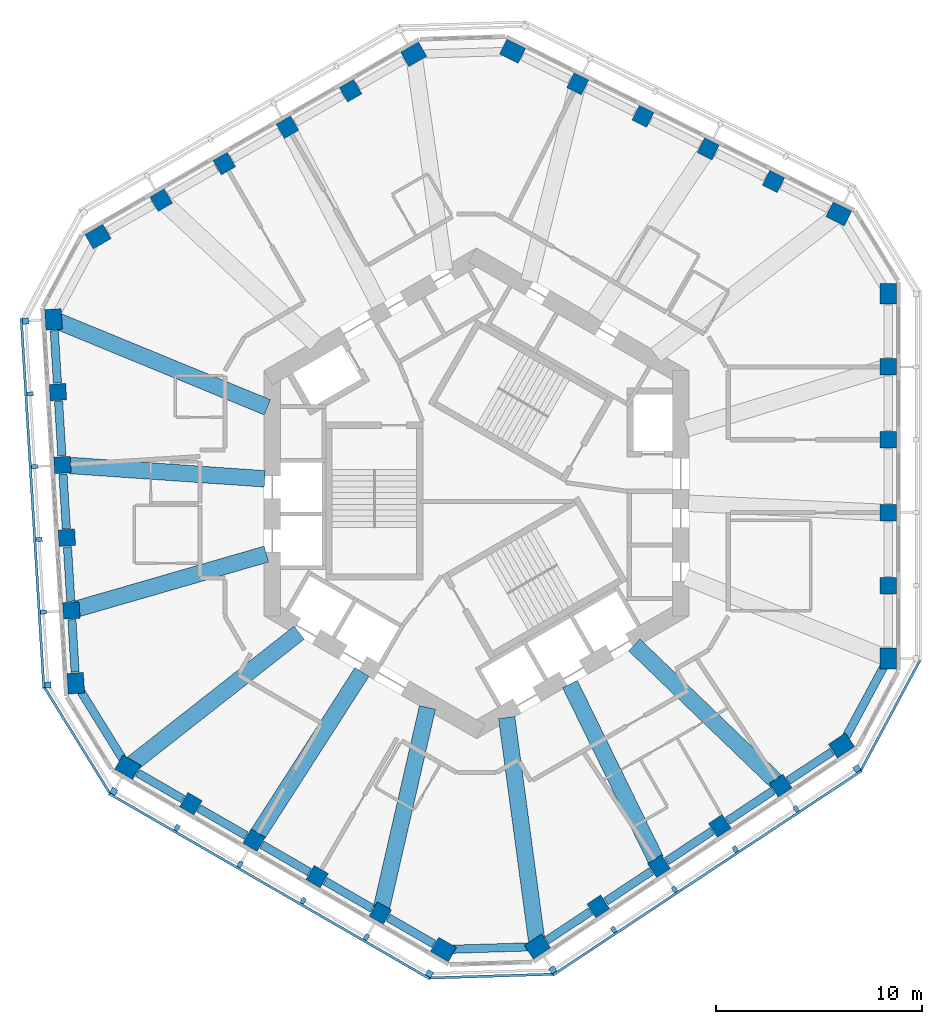
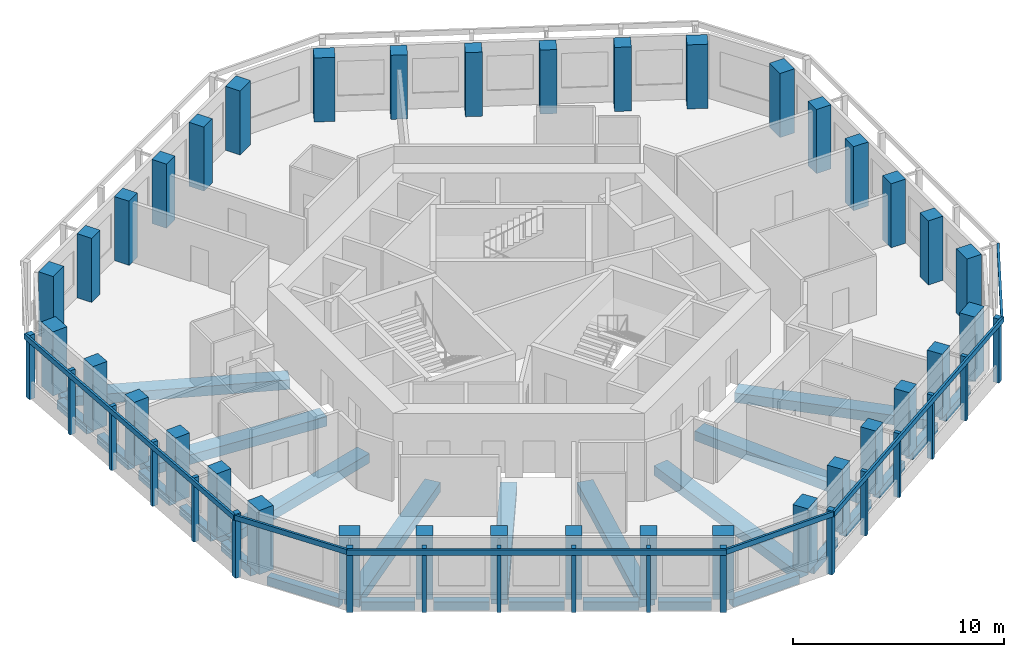
# One storey, part 1 of 11: 36 columns, 27 beams, 24 members, 6 elements without a shape of their own.
"""IFC4 building model written with IfcOpenShell, lengths in metres."""

from ifc_helpers import new_model, si_unit, direction, frame, origin, origin_2d, place, context, subcontext, project, spatial, rectangle, extrude, material, material_profile, profile_set, type_object, element, aggregate, save


model = new_model("IFC4")

# Units and contexts
model_context = context("Model", 3, precision=1e-05, world=origin(), true_north=direction((0.0, 1.0)))
body_context = subcontext(model_context, "Body", "Model", "MODEL_VIEW")
ifc_project = project(units=[si_unit("LENGTHUNIT", "METRE"), si_unit("AREAUNIT", "SQUARE_METRE"), si_unit("VOLUMEUNIT", "CUBIC_METRE"), si_unit("PLANEANGLEUNIT", "RADIAN"), si_unit("MASSUNIT", "GRAM", prefix="KILO")], contexts=[model_context])

# Site, building, storey
site_placement = place(None, origin())
site = spatial("IfcSite", under=ifc_project, at=site_placement, CompositionType="ELEMENT")
building_placement = place(site_placement, origin())
building = spatial("IfcBuilding", under=site, at=building_placement, Name="Vanh Sen Convention Tower", CompositionType="ELEMENT")
storey_placement = place(building_placement, frame((0.0, 0.0, 243.89990234375)))
storey = spatial("IfcBuildingStorey", under=building, at=storey_placement, Name="L60", CompositionType="ELEMENT", Elevation=243.89990234375)

# Columns
ifc_material_1 = material(Name="Concrete C60/75", Category="concrete")
ifc_material_profile_1 = material_profile(ifc_material_1, rectangle(XDim=0.800048828125, YDim=0.800048828125, at=origin_2d()), Name="RC 800X800")
ifc_profile_set_1 = profile_set([ifc_material_profile_1], Name="Concrete C60/75")
column_type_1 = type_object("IfcColumnType", Name="Facade column 800 x 800 C60/75", PredefinedType="COLUMN", material=ifc_profile_set_1)
for number, where, z_axis, x_axis, name in (
    (1, (19.949951171875, -4.46923828125, 0.0), (0.0, 0.0, 1.0), (0.0, 1.0, 0.0), "Facade column 02 L60"),
    (2, (19.949951171875, -0.935546875, 0.0), (0.0, 0.0, 1.0), (0.0, 1.0, 0.0), "Facade column 03 L60"),
    (3, (19.949951171875, 2.59814453125, 0.0), (0.0, 0.0, 1.0), (0.0, 1.0, 0.0), "Facade column 04 L60"),
    (4, (19.949951171875, 6.131591796875, 0.0), (0.0, 0.0, 1.0), (0.0, 1.0, 0.0), "Facade column 05 L60"),
    (5, (14.38916015625, 15.117919921875, 0.0), (0.0, 0.0, 1.0), (-0.894934361602, 0.44619781311, 0.0), "Facade column 08 L60"),
    (6, (11.226806640625, 16.694580078125, 0.0), (0.0, 0.0, 1.0), (-0.894934361602, 0.44619781311, 0.0), "Facade column 09 L60"),
    (7, (8.064453125, 18.271484375, 0.0), (0.0, 0.0, 1.0), (-0.894934361602, 0.44619781311, 0.0), "Facade column 10 L60"),
    (8, (4.902099609375, 19.84814453125, 0.0), (0.0, 0.0, 1.0), (-0.894934361602, 0.44619781311, 0.0), "Facade column 11 L60"),
    (9, (-6.1044921875, 19.51171875, 0.0), (0.0, 0.0, 1.0), (-0.866025403784, -0.5, 0.0), "Facade column 14 L60"),
    (10, (-9.164794921875, 17.7451171875, 0.0), (0.0, 0.0, 1.0), (-0.866025403784, -0.5, 0.0), "Facade column 15 L60"),
    (11, (-12.22509765625, 15.978271484375, 0.0), (0.0, 0.0, 1.0), (-0.866025403784, -0.5, 0.0), "Facade column 16 L60"),
    (12, (-15.28515625, 14.211181640625, 0.0), (0.0, 0.0, 1.0), (-0.866025403784, -0.5, 0.0), "Facade column 17 L60"),
    (13, (-20.287109375, 4.90234375, 0.0), (0.0, 0.0, 1.0), (0.061048539535, -0.998134798422, 0.0), "Facade column 20 L60"),
    (14, (-20.0712890625, 1.375244140625, 0.0), (0.0, 0.0, 1.0), (0.061048539535, -0.998134798422, 0.0), "Facade column 21 L60"),
    (15, (-19.855712890625, -2.151611328125, 0.0), (0.0, 0.0, 1.0), (0.061048539535, -0.998134798422, 0.0), "Facade column 22 L60"),
    (16, (-19.639892578125, -5.6787109375, 0.0), (0.0, 0.0, 1.0), (0.061048539535, -0.998134798422, 0.0), "Facade column 23 L60"),
    (17, (-13.845458984375, -15.04248046875, 0.0), (0.0, 0.0, 1.0), (0.866025403784, -0.5, 0.0), "Facade column 26 L60"),
    (18, (-10.78515625, -16.809326171875, 0.0), (0.0, 0.0, 1.0), (0.866025403784, -0.5, 0.0), "Facade column 27 L60"),
    (19, (-7.72509765625, -18.576416015625, 0.0), (0.0, 0.0, 1.0), (0.866025403784, -0.5, 0.0), "Facade column 28 L60"),
    (20, (-4.664794921875, -20.343017578125, 0.0), (0.0, 0.0, 1.0), (0.866025403784, -0.5, 0.0), "Facade column 29 L60"),
    (21, (5.89794921875, -20.0205078125, 0.0), (0.0, 0.0, 1.0), (0.833885822067, 0.551936985312, 0.0), "Facade column 32 L60"),
    (22, (8.844482421875, -18.070068359375, 0.0), (0.0, 0.0, 1.0), (0.833885822067, 0.551936985312, 0.0), "Facade column 33 L60"),
    (23, (11.791259765625, -16.11962890625, 0.0), (0.0, 0.0, 1.0), (0.833885822067, 0.551936985312, 0.0), "Facade column 34 L60"),
    (24, (14.73779296875, -14.169189453125, 0.0), (0.0, 0.0, 1.0), (0.833885822067, 0.551936985312, 0.0), "Facade column 35 L60"),
):
    element("IfcColumn", number, at=place(storey_placement, frame(where, z_axis=z_axis, x_axis=x_axis)), inside=storey, type_object=column_type_1, Name=name, PredefinedType="COLUMN", context=body_context, shape_type="SweptSolid", body=[
        extrude(rectangle(XDim=0.800048828125, YDim=0.800048828125, at=origin_2d()), origin(), (0.0, 0.0, 1.0), 3.7001953125),
    ])
ifc_material_profile_2 = material_profile(ifc_material_1, rectangle(XDim=1.0, YDim=0.800048828125, at=origin_2d()), Name="RC 1000X800")
ifc_profile_set_2 = profile_set([ifc_material_profile_2], Name="Concrete C60/75")
column_type_2 = type_object("IfcColumnType", Name="Facade corner column 1000 x 800 C60/75", PredefinedType="COLUMN", material=ifc_profile_set_2)
for number, where, z_axis, x_axis, name in (
    (25, (19.949951171875, -8.002685546875, 0.0), (0.0, 0.0, 1.0), (0.0, 1.0, 0.0), "Facade column 01 L60"),
    (26, (19.949951171875, 9.665283203125, 0.0), (0.0, 0.0, 1.0), (0.0, 1.0, 0.0), "Facade column 06 L60"),
    (27, (17.551513671875, 13.541259765625, 0.0), (0.0, 0.0, 1.0), (-0.894934361602, 0.44619781311, 0.0), "Facade column 07 L60"),
    (28, (1.73974609375, 21.4248046875, 0.0), (0.0, 0.0, 1.0), (-0.894934361602, 0.44619781311, 0.0), "Facade column 12 L60"),
    (29, (-3.04443359375, 21.278564453125, 0.0), (0.0, 0.0, 1.0), (-0.866025403784, -0.5, 0.0), "Facade column 13 L60"),
    (30, (-18.345458984375, 12.444580078125, 0.0), (0.0, 0.0, 1.0), (-0.866025403784, -0.5, 0.0), "Facade column 18 L60"),
    (31, (-20.502685546875, 8.429443359375, 0.0), (0.0, 0.0, 1.0), (0.061048539535, -0.998134798422, 0.0), "Facade column 19 L60"),
    (32, (-19.42431640625, -9.205810546875, 0.0), (0.0, 0.0, 1.0), (0.061048539535, -0.998134798422, 0.0), "Facade column 24 L60"),
    (33, (-16.905517578125, -13.27587890625, 0.0), (0.0, 0.0, 1.0), (0.866025403784, -0.5, 0.0), "Facade column 25 L60"),
    (34, (-1.6044921875, -22.10986328125, 0.0), (0.0, 0.0, 1.0), (0.866025403784, -0.5, 0.0), "Facade column 30 L60"),
    (35, (2.951416015625, -21.970703125, 0.0), (0.0, 0.0, 1.0), (0.833885822067, 0.551936985312, 0.0), "Facade column 31 L60"),
    (36, (17.6845703125, -12.218994140625, 0.0), (0.0, 0.0, 1.0), (0.833885822067, 0.551936985312, 0.0), "Facade column 36 L60"),
):
    element("IfcColumn", number, at=place(storey_placement, frame(where, z_axis=z_axis, x_axis=x_axis)), inside=storey, type_object=column_type_2, Name=name, PredefinedType="COLUMN", context=body_context, shape_type="SweptSolid", body=[
        extrude(rectangle(XDim=1.0, YDim=0.800048828125, at=origin_2d()), origin(), (0.0, 0.0, 1.0), 3.7001953125),
    ])

# Curtain wall, members
ifc_material_2 = material(Name="Concrete C50/60", Category="concrete")
curtain_wall_type = type_object("IfcCurtainWallType", Name="Outer skin office zone", PredefinedType="NOTDEFINED", material=ifc_material_2)
curtain_wall_1_placement = place(storey_placement, origin())
curtain_wall_1 = element("IfcCurtainWall", 37, at=curtain_wall_1_placement, inside=storey, type_object=curtain_wall_type, Name="OUTER SKIN W L60", PredefinedType="NOTDEFINED")
ifc_material_profile_3 = material_profile(ifc_material_2, rectangle(XDim=0.300048828125, YDim=0.300048828125, at=origin_2d()), Name="Outer skin precast corner fin 300 x 300")
ifc_profile_set_3 = profile_set([ifc_material_profile_3], Name="Concrete C50/60")
member_type_1 = type_object("IfcMemberType", Name="Outer skin precast corner fin 300 x 300", PredefinedType="MULLION", material=ifc_profile_set_3)
member_1_placement = place(storey_placement, frame((-21.850341796875, 8.346923828125, 0.0), z_axis=(0.0, 0.0, 1.0), x_axis=(0.061048539535, -0.998134798422, 0.0)))
member_1 = element("IfcMember", 38, at=member_1_placement, type_object=member_type_1, Name="OUTER SKIN CORNER FIN 1 W L60", PredefinedType="MULLION", context=body_context, shape_type="SweptSolid", body=[
    extrude(rectangle(XDim=0.300048828125, YDim=0.300048828125, at=origin_2d()), origin(), (0.0, 0.0, 1.0), 3.7001953125),
])
member_2_placement = place(storey_placement, frame((-20.771728515625, -9.2880859375, 0.0), z_axis=(0.0, 0.0, 1.0), x_axis=(0.061048539535, -0.998134798422, 0.0)))
member_2 = element("IfcMember", 39, at=member_2_placement, type_object=member_type_1, Name="OUTER SKIN CORNER FIN 6 W L60", PredefinedType="MULLION", context=body_context, shape_type="SweptSolid", body=[
    extrude(rectangle(XDim=0.300048828125, YDim=0.300048828125, at=origin_2d()), origin(), (0.0, 0.0, 1.0), 3.7001953125),
])

curtain_wall_2_placement = place(storey_placement, origin())
curtain_wall_2 = element("IfcCurtainWall", 40, at=curtain_wall_2_placement, inside=storey, type_object=curtain_wall_type, Name="OUTER SKIN SW L60", PredefinedType="NOTDEFINED")
member_3_placement = place(storey_placement, frame((-17.58056640625, -14.44482421875, 0.0), z_axis=(0.0, 0.0, 1.0), x_axis=(0.866025403784, -0.5, 0.0)))
member_3 = element("IfcMember", 41, at=member_3_placement, type_object=member_type_1, Name="OUTER SKIN CORNER FIN 1 SW L60", PredefinedType="MULLION", context=body_context, shape_type="SweptSolid", body=[
    extrude(rectangle(XDim=0.300048828125, YDim=0.300048828125, at=origin_2d()), origin(), (0.0, 0.0, 1.0), 3.7001953125),
])
member_4_placement = place(storey_placement, frame((-2.279541015625, -23.279052734375, 0.0), z_axis=(0.0, 0.0, 1.0), x_axis=(0.866025403784, -0.5, 0.0)))
member_4 = element("IfcMember", 42, at=member_4_placement, type_object=member_type_1, Name="OUTER SKIN CORNER FIN 6 SW L60", PredefinedType="MULLION", context=body_context, shape_type="SweptSolid", body=[
    extrude(rectangle(XDim=0.300048828125, YDim=0.300048828125, at=origin_2d()), origin(), (0.0, 0.0, 1.0), 3.7001953125),
])

curtain_wall_3_placement = place(storey_placement, origin())
curtain_wall_3 = element("IfcCurtainWall", 43, at=curtain_wall_3_placement, inside=storey, type_object=curtain_wall_type, Name="OUTER SKIN SE L60", PredefinedType="NOTDEFINED")
member_5_placement = place(storey_placement, frame((3.6962890625, -23.096435546875, 0.0), z_axis=(0.0, 0.0, 1.0), x_axis=(0.833885822067, 0.551936985312, 0.0)))
member_5 = element("IfcMember", 44, at=member_5_placement, type_object=member_type_1, Name="OUTER SKIN CORNER FIN 1 SE L60", PredefinedType="MULLION", context=body_context, shape_type="SweptSolid", body=[
    extrude(rectangle(XDim=0.300048828125, YDim=0.300048828125, at=origin_2d()), origin(), (0.0, 0.0, 1.0), 3.7001953125),
])
member_6_placement = place(storey_placement, frame((18.4296875, -13.3447265625, 0.0), z_axis=(0.0, 0.0, 1.0), x_axis=(0.833885822067, 0.551936985312, 0.0)))
member_6 = element("IfcMember", 45, at=member_6_placement, type_object=member_type_1, Name="OUTER SKIN CORNER FIN 6 SE L60", PredefinedType="MULLION", context=body_context, shape_type="SweptSolid", body=[
    extrude(rectangle(XDim=0.300048828125, YDim=0.300048828125, at=origin_2d()), origin(), (0.0, 0.0, 1.0), 3.7001953125),
])

# Member
ifc_material_profile_4 = material_profile(ifc_material_2, rectangle(XDim=0.199951171875, YDim=0.300048828125, at=origin_2d()), Name="Outer skin precast fin 200 x 300")
ifc_profile_set_4 = profile_set([ifc_material_profile_4], Name="Concrete C50/60")
member_type_2 = type_object("IfcMemberType", Name="Outer skin precast fin 200 x 300", PredefinedType="MULLION", material=ifc_profile_set_4)
member_7_placement = place(storey_placement, frame((-21.634521484375, 4.820068359375, 0.0), z_axis=(0.0, 0.0, 1.0), x_axis=(0.061048539535, -0.998134798422, 0.0)))
member_7 = element("IfcMember", 46, at=member_7_placement, type_object=member_type_2, Name="OUTER SKIN fin 2 W L60", PredefinedType="MULLION", context=body_context, shape_type="SweptSolid", body=[
    extrude(rectangle(XDim=0.199951171875, YDim=0.300048828125, at=origin_2d()), origin(), (0.0, 0.0, 1.0), 3.7001953125),
])

member_8_placement = place(storey_placement, frame((-21.4189453125, 1.29296875, 0.0), z_axis=(0.0, 0.0, 1.0), x_axis=(0.061048539535, -0.998134798422, 0.0)))
member_8 = element("IfcMember", 47, at=member_8_placement, type_object=member_type_2, Name="OUTER SKIN fin 3 W L60", PredefinedType="MULLION", context=body_context, shape_type="SweptSolid", body=[
    extrude(rectangle(XDim=0.199951171875, YDim=0.300048828125, at=origin_2d()), origin(), (0.0, 0.0, 1.0), 3.7001953125),
])

member_9_placement = place(storey_placement, frame((-21.203125, -2.234130859375, 0.0), z_axis=(0.0, 0.0, 1.0), x_axis=(0.061048539535, -0.998134798422, 0.0)))
member_9 = element("IfcMember", 48, at=member_9_placement, type_object=member_type_2, Name="OUTER SKIN fin 4 W L60", PredefinedType="MULLION", context=body_context, shape_type="SweptSolid", body=[
    extrude(rectangle(XDim=0.199951171875, YDim=0.300048828125, at=origin_2d()), origin(), (0.0, 0.0, 1.0), 3.7001953125),
])

member_10_placement = place(storey_placement, frame((-20.987548828125, -5.760986328125, 0.0), z_axis=(0.0, 0.0, 1.0), x_axis=(0.061048539535, -0.998134798422, 0.0)))
member_10 = element("IfcMember", 49, at=member_10_placement, type_object=member_type_2, Name="OUTER SKIN fin 5 W L60", PredefinedType="MULLION", context=body_context, shape_type="SweptSolid", body=[
    extrude(rectangle(XDim=0.199951171875, YDim=0.300048828125, at=origin_2d()), origin(), (0.0, 0.0, 1.0), 3.7001953125),
])

member_11_placement = place(storey_placement, frame((-14.5205078125, -16.211669921875, 0.0), z_axis=(0.0, 0.0, 1.0), x_axis=(0.866025403784, -0.5, 0.0)))
member_11 = element("IfcMember", 50, at=member_11_placement, type_object=member_type_2, Name="OUTER SKIN fin 2 SW L60", PredefinedType="MULLION", context=body_context, shape_type="SweptSolid", body=[
    extrude(rectangle(XDim=0.199951171875, YDim=0.300048828125, at=origin_2d()), origin(), (0.0, 0.0, 1.0), 3.7001953125),
])

member_12_placement = place(storey_placement, frame((-11.460205078125, -17.978515625, 0.0), z_axis=(0.0, 0.0, 1.0), x_axis=(0.866025403784, -0.5, 0.0)))
member_12 = element("IfcMember", 51, at=member_12_placement, type_object=member_type_2, Name="OUTER SKIN fin 3 SW L60", PredefinedType="MULLION", context=body_context, shape_type="SweptSolid", body=[
    extrude(rectangle(XDim=0.199951171875, YDim=0.300048828125, at=origin_2d()), origin(), (0.0, 0.0, 1.0), 3.7001953125),
])

member_13_placement = place(storey_placement, frame((-8.39990234375, -19.745361328125, 0.0), z_axis=(0.0, 0.0, 1.0), x_axis=(0.866025403784, -0.5, 0.0)))
member_13 = element("IfcMember", 52, at=member_13_placement, type_object=member_type_2, Name="OUTER SKIN fin 4 SW L60", PredefinedType="MULLION", context=body_context, shape_type="SweptSolid", body=[
    extrude(rectangle(XDim=0.199951171875, YDim=0.300048828125, at=origin_2d()), origin(), (0.0, 0.0, 1.0), 3.7001953125),
])

member_14_placement = place(storey_placement, frame((-5.33984375, -21.51220703125, 0.0), z_axis=(0.0, 0.0, 1.0), x_axis=(0.866025403784, -0.5, 0.0)))
member_14 = element("IfcMember", 53, at=member_14_placement, type_object=member_type_2, Name="OUTER SKIN fin 5 SW L60", PredefinedType="MULLION", context=body_context, shape_type="SweptSolid", body=[
    extrude(rectangle(XDim=0.199951171875, YDim=0.300048828125, at=origin_2d()), origin(), (0.0, 0.0, 1.0), 3.7001953125),
])

member_15_placement = place(storey_placement, frame((6.64306640625, -21.14599609375, 0.0), z_axis=(0.0, 0.0, 1.0), x_axis=(0.833885822067, 0.551936985312, 0.0)))
member_15 = element("IfcMember", 54, at=member_15_placement, type_object=member_type_2, Name="OUTER SKIN fin 2 SE L60", PredefinedType="MULLION", context=body_context, shape_type="SweptSolid", body=[
    extrude(rectangle(XDim=0.199951171875, YDim=0.300048828125, at=origin_2d()), origin(), (0.0, 0.0, 1.0), 3.7001953125),
])

member_16_placement = place(storey_placement, frame((9.589599609375, -19.19580078125, 0.0), z_axis=(0.0, 0.0, 1.0), x_axis=(0.833885822067, 0.551936985312, 0.0)))
member_16 = element("IfcMember", 55, at=member_16_placement, type_object=member_type_2, Name="OUTER SKIN fin 3 SE L60", PredefinedType="MULLION", context=body_context, shape_type="SweptSolid", body=[
    extrude(rectangle(XDim=0.199951171875, YDim=0.300048828125, at=origin_2d()), origin(), (0.0, 0.0, 1.0), 3.7001953125),
])

member_17_placement = place(storey_placement, frame((12.536376953125, -17.245361328125, 0.0), z_axis=(0.0, 0.0, 1.0), x_axis=(0.833885822067, 0.551936985312, 0.0)))
member_17 = element("IfcMember", 56, at=member_17_placement, type_object=member_type_2, Name="OUTER SKIN fin 4 SE L60", PredefinedType="MULLION", context=body_context, shape_type="SweptSolid", body=[
    extrude(rectangle(XDim=0.199951171875, YDim=0.300048828125, at=origin_2d()), origin(), (0.0, 0.0, 1.0), 3.7001953125),
])

member_18_placement = place(storey_placement, frame((15.48291015625, -15.294921875, 0.0), z_axis=(0.0, 0.0, 1.0), x_axis=(0.833885822067, 0.551936985312, 0.0)))
member_18 = element("IfcMember", 57, at=member_18_placement, type_object=member_type_2, Name="OUTER SKIN fin 5 SE L60", PredefinedType="MULLION", context=body_context, shape_type="SweptSolid", body=[
    extrude(rectangle(XDim=0.199951171875, YDim=0.300048828125, at=origin_2d()), origin(), (0.0, 0.0, 1.0), 3.7001953125),
])

ifc_material_profile_5 = material_profile(ifc_material_2, rectangle(XDim=0.1201171875, YDim=0.300048828125, at=origin_2d()), Name="Outer skin precast spandrel band 300 x 120")
ifc_profile_set_5 = profile_set([ifc_material_profile_5], Name="Concrete C50/60")
member_type_3 = type_object("IfcMemberType", Name="Outer skin precast spandrel band 300 x 120", PredefinedType="USERDEFINED", material=ifc_profile_set_5)
member_19_placement = place(storey_placement, frame((-22.069091796875, 8.48388671875, 3.550048828125), z_axis=(0.061048457282, -0.998134803453, 0.0), x_axis=(0.998134803453, 0.061048457282, 0.0)))
member_19 = element("IfcMember", 58, at=member_19_placement, type_object=member_type_3, Name="OUTER SKIN spandrel band W L60", ObjectType="TRANSOM", PredefinedType="USERDEFINED", context=body_context, shape_type="SweptSolid", body=[
    extrude(rectangle(XDim=0.1201171875, YDim=0.300048828125, at=origin_2d()), origin(), (0.0, 0.0, 1.0), 17.968017578125),
])

aggregate(curtain_wall_1, [member_1, member_7, member_8, member_9, member_10, member_2, member_19])

# Curtain wall, member
curtain_wall_4_placement = place(storey_placement, origin())
curtain_wall_4 = element("IfcCurtainWall", 59, at=curtain_wall_4_placement, inside=storey, type_object=curtain_wall_type, Name="OUTER SKIN CH4 L60", PredefinedType="NOTDEFINED")
member_20_placement = place(storey_placement, frame((-20.9501953125, -9.398681640625, 3.550048828125), z_axis=(0.526193830542, -0.850364658661, 0.0), x_axis=(0.850364658661, 0.526193830542, 0.0)))
member_20 = element("IfcMember", 60, at=member_20_placement, type_object=member_type_3, Name="OUTER SKIN spandrel band CH4 L60", ObjectType="TRANSOM", PredefinedType="USERDEFINED", context=body_context, shape_type="SweptSolid", body=[
    extrude(rectangle(XDim=0.1201171875, YDim=0.300048828125, at=origin_2d()), origin(), (0.0, 0.0, 1.0), 6.064208984375),
])
aggregate(curtain_wall_4, [member_20])

# Member
member_21_placement = place(storey_placement, frame((-17.8154296875, -14.5517578125, 3.550048828125), z_axis=(0.866022898019, -0.500004340088, 0.0), x_axis=(0.500004340088, 0.866022898019, 0.0)))
member_21 = element("IfcMember", 61, at=member_21_placement, type_object=member_type_3, Name="OUTER SKIN spandrel band SW L60", ObjectType="TRANSOM", PredefinedType="USERDEFINED", context=body_context, shape_type="SweptSolid", body=[
    extrude(rectangle(XDim=0.1201171875, YDim=0.300048828125, at=origin_2d()), origin(), (0.0, 0.0, 1.0), 17.968017578125),
])

aggregate(curtain_wall_2, [member_3, member_11, member_12, member_13, member_14, member_4, member_21])

# Curtain wall, member
curtain_wall_5_placement = place(storey_placement, origin())
curtain_wall_5 = element("IfcCurtainWall", 62, at=curtain_wall_5_placement, inside=storey, type_object=curtain_wall_type, Name="OUTER SKIN CH5 L60", PredefinedType="NOTDEFINED")
member_22_placement = place(storey_placement, frame((-2.273193359375, -23.489013671875, 3.550048828125), z_axis=(0.99953342946, 0.030543794642, 0.0), x_axis=(-0.030543794642, 0.99953342946, 0.0)))
member_22 = element("IfcMember", 63, at=member_22_placement, type_object=member_type_3, Name="OUTER SKIN spandrel band CH5 L60", ObjectType="TRANSOM", PredefinedType="USERDEFINED", context=body_context, shape_type="SweptSolid", body=[
    extrude(rectangle(XDim=0.1201171875, YDim=0.300048828125, at=origin_2d()), origin(), (0.0, 0.0, 1.0), 5.978759765625),
])
aggregate(curtain_wall_5, [member_22])

# Member
member_23_placement = place(storey_placement, frame((3.687255859375, -23.3544921875, 3.550048828125), z_axis=(0.83388107344, 0.551944159638, 0.0), x_axis=(-0.551944159638, 0.83388107344, 0.0)))
member_23 = element("IfcMember", 64, at=member_23_placement, type_object=member_type_3, Name="OUTER SKIN spandrel band SE L60", ObjectType="TRANSOM", PredefinedType="USERDEFINED", context=body_context, shape_type="SweptSolid", body=[
    extrude(rectangle(XDim=0.1201171875, YDim=0.300048828125, at=origin_2d()), origin(), (0.0, 0.0, 1.0), 17.96826171875),
])

aggregate(curtain_wall_3, [member_5, member_15, member_16, member_17, member_18, member_6, member_23])

# Curtain wall, member
curtain_wall_6_placement = place(storey_placement, origin())
curtain_wall_6 = element("IfcCurtainWall", 65, at=curtain_wall_6_placement, inside=storey, type_object=curtain_wall_type, Name="OUTER SKIN CH6 L60", PredefinedType="NOTDEFINED")
member_24_placement = place(storey_placement, frame((18.61474609375, -13.444091796875, 3.550048828125), z_axis=(0.473333785199, 0.880883152177, 0.0), x_axis=(-0.880883152177, 0.473333785199, 0.0)))
member_24 = element("IfcMember", 66, at=member_24_placement, type_object=member_type_3, Name="OUTER SKIN spandrel band CH6 L60", ObjectType="TRANSOM", PredefinedType="USERDEFINED", context=body_context, shape_type="SweptSolid", body=[
    extrude(rectangle(XDim=0.1201171875, YDim=0.300048828125, at=origin_2d()), origin(), (0.0, 0.0, 1.0), 6.064208984375),
])
aggregate(curtain_wall_6, [member_24])

# Beams
ifc_material_3 = material(Name="Concrete C50/60", Category="concrete")
ifc_material_profile_6 = material_profile(ifc_material_3, rectangle(XDim=0.800048828125, YDim=0.550048828125, at=origin_2d()), Name="RC 800X550")
ifc_profile_set_6 = profile_set([ifc_material_profile_6], Name="Concrete C50/60")
beam_type_1 = type_object("IfcBeamType", Name="Radial floor beam 800 x 550", PredefinedType="BEAM", material=ifc_profile_set_6)
beam_1_placement = place(storey_placement, frame((-20.275634765625, 8.3359375, -0.554931640625), z_axis=(0.924882422431, -0.380253211266, 0.0), x_axis=(0.380253211266, 0.924882422431, 0.0)))
element("IfcBeam", 67, at=beam_1_placement, inside=storey, type_object=beam_type_1, Name="Radial beam 10 L60", PredefinedType="BEAM", context=body_context, shape_type="SweptSolid", body=[
    extrude(rectangle(XDim=0.800048828125, YDim=0.550048828125, at=origin_2d()), origin(), (0.0, 0.0, 1.0), 10.955322265625),
])
beam_2_placement = place(storey_placement, frame((-19.725830078125, 1.3515625, -0.554931640625), z_axis=(0.997661675261, -0.068346043885, 0.0), x_axis=(0.068346043885, 0.997661675261, 0.0)))
element("IfcBeam", 68, at=beam_2_placement, inside=storey, type_object=beam_type_1, Name="Radial beam 11 L60", PredefinedType="BEAM", context=body_context, shape_type="SweptSolid", body=[
    extrude(rectangle(XDim=0.800048828125, YDim=0.550048828125, at=origin_2d()), origin(), (0.0, 0.0, 1.0), 9.48046875),
])
beam_3_placement = place(storey_placement, frame((-19.382568359375, -5.604248046875, -0.554931640625), z_axis=(0.960649345068, 0.277763993024, 0.0), x_axis=(-0.277763993024, 0.960649345068, 0.0)))
element("IfcBeam", 69, at=beam_3_placement, inside=storey, type_object=beam_type_1, Name="Radial beam 12 L60", PredefinedType="BEAM", context=body_context, shape_type="SweptSolid", body=[
    extrude(rectangle(XDim=0.800048828125, YDim=0.550048828125, at=origin_2d()), origin(), (0.0, 0.0, 1.0), 9.5751953125),
])
beam_4_placement = place(storey_placement, frame((-16.69677734375, -13.11181640625, -0.554931640625), z_axis=(0.786476273666, 0.617620491047, 0.0), x_axis=(-0.617620491047, 0.786476273666, 0.0)))
element("IfcBeam", 70, at=beam_4_placement, inside=storey, type_object=beam_type_1, Name="Radial beam 13 L60", PredefinedType="BEAM", context=body_context, shape_type="SweptSolid", body=[
    extrude(rectangle(XDim=0.800048828125, YDim=0.550048828125, at=origin_2d()), origin(), (0.0, 0.0, 1.0), 10.29736328125),
])
beam_5_placement = place(storey_placement, frame((-10.581787109375, -16.492431640625, -0.554931640625), z_axis=(0.540014997823, 0.841655393927, 0.0), x_axis=(-0.841655393927, 0.540014997823, 0.0)))
element("IfcBeam", 71, at=beam_5_placement, inside=storey, type_object=beam_type_1, Name="Radial beam 14 L60", PredefinedType="BEAM", context=body_context, shape_type="SweptSolid", body=[
    extrude(rectangle(XDim=0.800048828125, YDim=0.550048828125, at=origin_2d()), origin(), (0.0, 0.0, 1.0), 9.307861328125),
])
beam_6_placement = place(storey_placement, frame((-4.614501953125, -20.12353515625, -0.554931640625), z_axis=(0.223500370476, 0.974703844456, 0.0), x_axis=(-0.974703844456, 0.223500370476, 0.0)))
element("IfcBeam", 72, at=beam_6_placement, inside=storey, type_object=beam_type_1, Name="Radial beam 15 L60", PredefinedType="BEAM", context=body_context, shape_type="SweptSolid", body=[
    extrude(rectangle(XDim=0.800048828125, YDim=0.550048828125, at=origin_2d()), origin(), (0.0, 0.0, 1.0), 9.998291015625),
])
beam_7_placement = place(storey_placement, frame((2.918701171875, -21.727294921875, -0.554931640625), z_axis=(-0.133129984992, 0.991098585962, 0.0), x_axis=(-0.991098585962, -0.133129984992, 0.0)))
element("IfcBeam", 73, at=beam_7_placement, inside=storey, type_object=beam_type_1, Name="Radial beam 16 L60", PredefinedType="BEAM", context=body_context, shape_type="SweptSolid", body=[
    extrude(rectangle(XDim=0.800048828125, YDim=0.550048828125, at=origin_2d()), origin(), (0.0, 0.0, 1.0), 10.955322265625),
])
beam_8_placement = place(storey_placement, frame((8.6923828125, -17.759033203125, -0.554931640625), z_axis=(-0.439636852083, 0.89817561662, 0.0), x_axis=(-0.89817561662, -0.439636852083, 0.0)))
element("IfcBeam", 74, at=beam_8_placement, inside=storey, type_object=beam_type_1, Name="Radial beam 17 L60", PredefinedType="BEAM", context=body_context, shape_type="SweptSolid", body=[
    extrude(rectangle(XDim=0.800048828125, YDim=0.550048828125, at=origin_2d()), origin(), (0.0, 0.0, 1.0), 9.48046875),
])
beam_9_placement = place(storey_placement, frame((14.544921875, -13.983642578125, -0.554931640625), z_axis=(-0.720890875592, 0.693048588115, 0.0), x_axis=(-0.693048588115, -0.720890875592, 0.0)))
element("IfcBeam", 75, at=beam_9_placement, inside=storey, type_object=beam_type_1, Name="Radial beam 18 L60", PredefinedType="BEAM", context=body_context, shape_type="SweptSolid", body=[
    extrude(rectangle(XDim=0.800048828125, YDim=0.550048828125, at=origin_2d()), origin(), (0.0, 0.0, 1.0), 9.575439453125),
])
ifc_material_profile_7 = material_profile(ifc_material_3, rectangle(XDim=0.39990234375, YDim=0.5, at=origin_2d()), Name="RC 400X500")
ifc_profile_set_7 = profile_set([ifc_material_profile_7], Name="Concrete C50/60")
beam_type_2 = type_object("IfcBeamType", Name="Spandrel beam 400 x 500", PredefinedType="SPANDREL", material=ifc_profile_set_7)
beam_10_placement = place(storey_placement, frame((-20.469482421875, 7.885498046875, -0.52978515625), z_axis=(0.061039814536, -0.998135332027, 0.0), x_axis=(0.998135332027, 0.061039814536, 0.0)))
element("IfcBeam", 76, at=beam_10_placement, inside=storey, type_object=beam_type_2, Name="Spandrel beam 19 L60", PredefinedType="SPANDREL", context=body_context, shape_type="SweptSolid", body=[
    extrude(rectangle(XDim=0.39990234375, YDim=0.5, at=origin_2d()), origin(), (0.0, 0.0, 1.0), 2.543701171875),
])
beam_11_placement = place(storey_placement, frame((-20.260009765625, 4.458251953125, -0.52978515625), z_axis=(0.061038717625, -0.998135399107, 0.0), x_axis=(0.998135399107, 0.061038717625, 0.0)))
element("IfcBeam", 77, at=beam_11_placement, inside=storey, type_object=beam_type_2, Name="Spandrel beam 20 L60", PredefinedType="SPANDREL", context=body_context, shape_type="SweptSolid", body=[
    extrude(rectangle(XDim=0.39990234375, YDim=0.5, at=origin_2d()), origin(), (0.0, 0.0, 1.0), 2.643798828125),
])
beam_12_placement = place(storey_placement, frame((-20.044189453125, 0.93115234375, -0.52978515625), z_axis=(0.061044344131, -0.998135055015, 0.0), x_axis=(0.998135055015, 0.061044344131, 0.0)))
element("IfcBeam", 78, at=beam_12_placement, inside=storey, type_object=beam_type_2, Name="Spandrel beam 21 L60", PredefinedType="SPANDREL", context=body_context, shape_type="SweptSolid", body=[
    extrude(rectangle(XDim=0.39990234375, YDim=0.5, at=origin_2d()), origin(), (0.0, 0.0, 1.0), 2.6435546875),
])
beam_13_placement = place(storey_placement, frame((-19.82861328125, -2.595703125, -0.52978515625), z_axis=(0.061038717625, -0.998135399107, 0.0), x_axis=(0.998135399107, 0.061038717625, 0.0)))
element("IfcBeam", 79, at=beam_13_placement, inside=storey, type_object=beam_type_2, Name="Spandrel beam 22 L60", PredefinedType="SPANDREL", context=body_context, shape_type="SweptSolid", body=[
    extrude(rectangle(XDim=0.39990234375, YDim=0.5, at=origin_2d()), origin(), (0.0, 0.0, 1.0), 2.643798828125),
])
beam_14_placement = place(storey_placement, frame((-19.61279296875, -6.122802734375, -0.52978515625), z_axis=(0.061039814536, -0.998135332027, 0.0), x_axis=(0.998135332027, 0.061039814536, 0.0)))
element("IfcBeam", 80, at=beam_14_placement, inside=storey, type_object=beam_type_2, Name="Spandrel beam 23 L60", PredefinedType="SPANDREL", context=body_context, shape_type="SweptSolid", body=[
    extrude(rectangle(XDim=0.39990234375, YDim=0.5, at=origin_2d()), origin(), (0.0, 0.0, 1.0), 2.543701171875),
])
beam_15_placement = place(storey_placement, frame((-19.177978515625, -9.603515625, -0.52978515625), z_axis=(0.526186532805, -0.850369174356, 0.0), x_axis=(0.850369174356, 0.526186532805, 0.0)))
element("IfcBeam", 81, at=beam_15_placement, inside=storey, type_object=beam_type_2, Name="Spandrel beam 24 L60", PredefinedType="SPANDREL", context=body_context, shape_type="SweptSolid", body=[
    extrude(rectangle(XDim=0.39990234375, YDim=0.5, at=origin_2d()), origin(), (0.0, 0.0, 1.0), 3.8505859375),
])
beam_16_placement = place(storey_placement, frame((-16.43359375, -13.54833984375, -0.52978515625), z_axis=(0.866043336059, -0.499968939103, 0.0), x_axis=(0.499968939103, 0.866043336059, 0.0)))
element("IfcBeam", 82, at=beam_16_placement, inside=storey, type_object=beam_type_2, Name="Spandrel beam 25 L60", PredefinedType="SPANDREL", context=body_context, shape_type="SweptSolid", body=[
    extrude(rectangle(XDim=0.39990234375, YDim=0.5, at=origin_2d()), origin(), (0.0, 0.0, 1.0), 2.543701171875),
])
beam_17_placement = place(storey_placement, frame((-13.4599609375, -15.26513671875, -0.52978515625), z_axis=(0.866017944311, -0.500012919964, 0.0), x_axis=(0.500012919964, 0.866017944311, 0.0)))
element("IfcBeam", 83, at=beam_17_placement, inside=storey, type_object=beam_type_2, Name="Spandrel beam 26 L60", PredefinedType="SPANDREL", context=body_context, shape_type="SweptSolid", body=[
    extrude(rectangle(XDim=0.39990234375, YDim=0.5, at=origin_2d()), origin(), (0.0, 0.0, 1.0), 2.6435546875),
])
beam_18_placement = place(storey_placement, frame((-10.39990234375, -17.031982421875, -0.52978515625), z_axis=(0.866041031621, -0.499972930816, 0.0), x_axis=(0.499972930816, 0.866041031621, 0.0)))
element("IfcBeam", 84, at=beam_18_placement, inside=storey, type_object=beam_type_2, Name="Spandrel beam 27 L60", PredefinedType="SPANDREL", context=body_context, shape_type="SweptSolid", body=[
    extrude(rectangle(XDim=0.39990234375, YDim=0.5, at=origin_2d()), origin(), (0.0, 0.0, 1.0), 2.643798828125),
])
beam_19_placement = place(storey_placement, frame((-7.339599609375, -18.798828125, -0.52978515625), z_axis=(0.866017944311, -0.500012919964, 0.0), x_axis=(0.500012919964, 0.866017944311, 0.0)))
element("IfcBeam", 85, at=beam_19_placement, inside=storey, type_object=beam_type_2, Name="Spandrel beam 28 L60", PredefinedType="SPANDREL", context=body_context, shape_type="SweptSolid", body=[
    extrude(rectangle(XDim=0.39990234375, YDim=0.5, at=origin_2d()), origin(), (0.0, 0.0, 1.0), 2.6435546875),
])
beam_20_placement = place(storey_placement, frame((-4.279296875, -20.565673828125, -0.52978515625), z_axis=(0.866043336059, -0.499968939103, 0.0), x_axis=(0.499968939103, 0.866043336059, 0.0)))
element("IfcBeam", 86, at=beam_20_placement, inside=storey, type_object=beam_type_2, Name="Spandrel beam 29 L60", PredefinedType="SPANDREL", context=body_context, shape_type="SweptSolid", body=[
    extrude(rectangle(XDim=0.39990234375, YDim=0.5, at=origin_2d()), origin(), (0.0, 0.0, 1.0), 2.543701171875),
])
beam_21_placement = place(storey_placement, frame((-1.1728515625, -22.0966796875, -0.52978515625), z_axis=(0.999533752193, 0.03053323152, 0.0), x_axis=(-0.03053323152, 0.999533752193, 0.0)))
element("IfcBeam", 87, at=beam_21_placement, inside=storey, type_object=beam_type_2, Name="Spandrel beam 30 L60", PredefinedType="SPANDREL", context=body_context, shape_type="SweptSolid", body=[
    extrude(rectangle(XDim=0.39990234375, YDim=0.5, at=origin_2d()), origin(), (0.0, 0.0, 1.0), 3.694091796875),
])
beam_22_placement = place(storey_placement, frame((3.40576171875, -21.669921875, -0.52978515625), z_axis=(0.833906220349, 0.551906165632, 0.0), x_axis=(-0.551906165632, 0.833906220349, 0.0)))
element("IfcBeam", 88, at=beam_22_placement, inside=storey, type_object=beam_type_2, Name="Spandrel beam 31 L60", PredefinedType="SPANDREL", context=body_context, shape_type="SweptSolid", body=[
    extrude(rectangle(XDim=0.39990234375, YDim=0.5, at=origin_2d()), origin(), (0.0, 0.0, 1.0), 2.54345703125),
])
for number, where, z_axis, x_axis, name in (
    (89, (6.26904296875, -19.77490234375, -0.52978515625), (0.833850316908, 0.551990624007, 0.0), (-0.551990624007, 0.833850316908, 0.0), "Spandrel beam 32 L60"),
    (90, (9.2158203125, -17.824462890625, -0.52978515625), (0.833850316908, 0.551990624007, 0.0), (-0.551990624007, 0.833850316908, 0.0), "Spandrel beam 33 L60"),
    (91, (12.162353515625, -15.8740234375, -0.52978515625), (0.833850316908, 0.551990624007, 0.0), (-0.551990624007, 0.833850316908, 0.0), "Spandrel beam 34 L60"),
):
    element("IfcBeam", number, at=place(storey_placement, frame(where, z_axis=z_axis, x_axis=x_axis)), inside=storey, type_object=beam_type_2, Name=name, PredefinedType="SPANDREL", context=body_context, shape_type="SweptSolid", body=[
        extrude(rectangle(XDim=0.39990234375, YDim=0.5, at=origin_2d()), origin(), (0.0, 0.0, 1.0), 2.6435546875),
    ])
beam_23_placement = place(storey_placement, frame((15.10888671875, -13.923583984375, -0.52978515625), z_axis=(0.833906220349, 0.551906165632, 0.0), x_axis=(-0.551906165632, 0.833906220349, 0.0)))
element("IfcBeam", 92, at=beam_23_placement, inside=storey, type_object=beam_type_2, Name="Spandrel beam 35 L60", PredefinedType="SPANDREL", context=body_context, shape_type="SweptSolid", body=[
    extrude(rectangle(XDim=0.39990234375, YDim=0.5, at=origin_2d()), origin(), (0.0, 0.0, 1.0), 2.54345703125),
])
beam_24_placement = place(storey_placement, frame((17.906005859375, -11.806884765625, -0.52978515625), z_axis=(0.473320740934, 0.880890161258, 0.0), x_axis=(-0.880890161258, 0.473320740934, 0.0)))
element("IfcBeam", 93, at=beam_24_placement, inside=storey, type_object=beam_type_2, Name="Spandrel beam 36 L60", PredefinedType="SPANDREL", context=body_context, shape_type="SweptSolid", body=[
    extrude(rectangle(XDim=0.39990234375, YDim=0.5, at=origin_2d()), origin(), (0.0, 0.0, 1.0), 3.8505859375),
])

save(model, "model.ifc")
